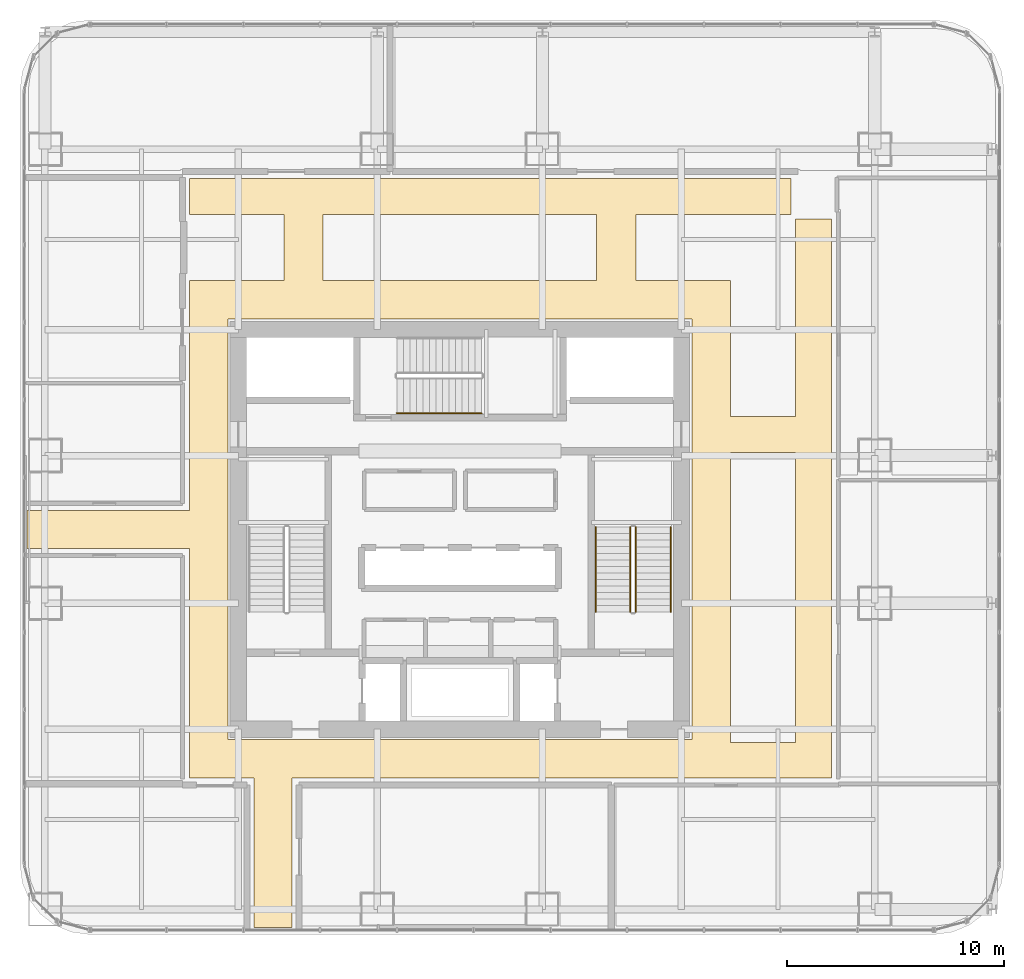
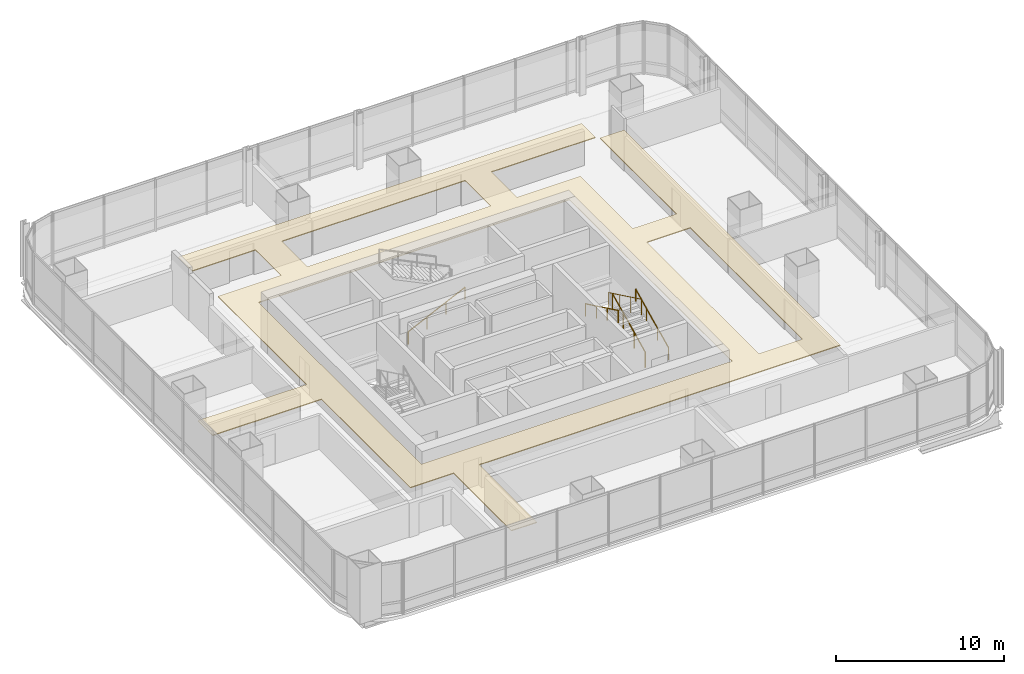
# One storey, part 32 of 34: 5 railings, 1 covering.
"""IFC4 building model written with IfcOpenShell, lengths in metres."""

import ifcopenshell
import ifcopenshell.guid

model = None  # the IFC model being written
_history = None  # IfcOwnerHistory: only IFC2X3 demands one
_inside = {}  # id of a spatial element -> (the spatial element, [elements in it])
_under = {}  # id of a project, library or spatial element -> (it, [spatial elements below it])
_declared = {}  # id of a project -> (the project, [libraries it declares])
_typed = {}  # id of a type object -> (the type object, [elements of that type])
_made_of = {}  # id of a material, layer set ... -> (it, [elements and type objects made of it])


def new_model(schema):
    """Start an empty IFC model of exactly this schema.

    Asked for "IFC4X3", IfcOpenShell would pick the latest addendum, in which some entities
    have other attributes; the version numbers below select the first issue.
    IFC2X3 requires an IfcOwnerHistory on every rooted entity: one is made here for all.
    """
    global model, _history
    if schema == "IFC4X3":
        model = ifcopenshell.file(schema_version=(4, 3, 0, 0))
    else:
        model = ifcopenshell.file(schema=schema)
    _inside.clear()
    _under.clear()
    _declared.clear()
    _typed.clear()
    _made_of.clear()
    _history = None
    if model.schema == "IFC2X3":
        org = make("IfcOrganization", Name="unknown")
        user = make(
            "IfcPersonAndOrganization",
            ThePerson=make("IfcPerson", FamilyName="unknown"),
            TheOrganization=org,
        )
        app = make(
            "IfcApplication",
            ApplicationDeveloper=org,
            Version="unknown",
            ApplicationFullName="unknown",
            ApplicationIdentifier="unknown",
        )
        _history = make(
            "IfcOwnerHistory",
            OwningUser=user,
            OwningApplication=app,
            ChangeAction="ADDED",
            CreationDate=0,
        )
    return model


def make(cls, **values):
    """One entity of the class cls with the attributes given. An attribute that is None is left unset."""
    return model.create_entity(
        cls, **{name: value for name, value in values.items() if value is not None}
    )


def rooted(cls, **values):
    """An entity with a GlobalId (a new one), such as an element, a storey or a relation."""
    return make(cls, GlobalId=ifcopenshell.guid.new(), OwnerHistory=_history, **values)


def si_unit(unit_type, name, prefix=None):
    """IfcSIUnit, for example si_unit("LENGTHUNIT", "METRE", prefix="MILLI")."""
    return make("IfcSIUnit", UnitType=unit_type, Prefix=prefix, Name=name)


def assignment(units):
    """IfcUnitAssignment: the units of a project."""
    return None if units is None else make("IfcUnitAssignment", Units=units)


def point(xyz):
    """IfcCartesianPoint."""
    return None if xyz is None else make("IfcCartesianPoint", Coordinates=xyz)


def direction(xyz):
    """IfcDirection."""
    return None if xyz is None else make("IfcDirection", DirectionRatios=xyz)


def frame(location, z_axis=None, x_axis=None):
    """IfcAxis2Placement3D, a coordinate frame: its origin and axes. An axis left out is left unset."""
    return make(
        "IfcAxis2Placement3D",
        Location=point(location),
        Axis=direction(z_axis),
        RefDirection=direction(x_axis),
    )


def frame_2d(location, x_axis=None):
    """IfcAxis2Placement2D, a coordinate frame in the plane: its origin and x axis."""
    return make(
        "IfcAxis2Placement2D", Location=point(location), RefDirection=direction(x_axis)
    )


def origin():
    """The frame at (0, 0, 0) with its axes left unset."""
    return frame((0.0, 0.0, 0.0))


def origin_2d():
    """The frame at (0, 0) in the plane with its x axis left unset."""
    return frame_2d((0.0, 0.0))


def place(relative_to, where):
    """IfcLocalPlacement: puts the frame where relative to a parent placement (None: the world)."""
    return make(
        "IfcLocalPlacement", PlacementRelTo=relative_to, RelativePlacement=where
    )


def context(
    kind, dimensions, precision=None, world=None, true_north=None, identifier=None
):
    """IfcGeometricRepresentationContext, for example the 3D "Model" context."""
    return make(
        "IfcGeometricRepresentationContext",
        ContextIdentifier=identifier,
        ContextType=kind,
        CoordinateSpaceDimension=dimensions,
        Precision=precision,
        WorldCoordinateSystem=world,
        TrueNorth=true_north,
    )


def subcontext(parent, identifier, kind, view, scale=None):
    """IfcGeometricRepresentationSubContext, for example "Body" below "Model"."""
    return make(
        "IfcGeometricRepresentationSubContext",
        ContextIdentifier=identifier,
        ContextType=kind,
        ParentContext=parent,
        TargetScale=scale,
        TargetView=view,
    )


def project(units=None, contexts=None):
    """IfcProject with its units and contexts."""
    return rooted(
        "IfcProject",
        Name="project",
        RepresentationContexts=contexts,
        UnitsInContext=assignment(units),
    )


def spatial(cls, under=None, at=None, **own):
    """A site, building, storey or space (cls), placed at a placement, below another one or the project."""
    s = rooted(cls, ObjectPlacement=at, **own)
    if under is not None:
        _under.setdefault(under.id(), (under, []))[1].append(s)
    return s


def polyline(points):
    """IfcPolyline through the points."""
    return make("IfcPolyline", Points=[point(p) for p in points])


def profile(cls, at=None, kind="AREA", **sizes):
    """A parametric profile (cls). Its sizes go by their IFC names, for example OverallWidth=200.0."""
    return make(cls, ProfileType=kind, Position=at, **sizes)


def circle(**sizes):
    """IfcCircleProfileDef."""
    return profile("IfcCircleProfileDef", **sizes)


def outline(outer, holes=None, kind="AREA"):
    """IfcArbitraryClosedProfileDef: a profile drawn as a closed curve; with holes, ...WithVoids."""
    if holes is None:
        return make("IfcArbitraryClosedProfileDef", ProfileType=kind, OuterCurve=outer)
    return make(
        "IfcArbitraryProfileDefWithVoids",
        ProfileType=kind,
        OuterCurve=outer,
        InnerCurves=holes,
    )


def extrude(swept, where, along, depth):
    """IfcExtrudedAreaSolid: the profile swept, set in the frame where, extruded along a direction by depth."""
    return make(
        "IfcExtrudedAreaSolid",
        SweptArea=swept,
        Position=where,
        ExtrudedDirection=direction(along),
        Depth=depth,
    )


def shape(context_of_items, identifier, shape_type, items):
    """IfcShapeRepresentation: the items that make up one representation, for example the "Body"."""
    return make(
        "IfcShapeRepresentation",
        ContextOfItems=context_of_items,
        RepresentationIdentifier=identifier,
        RepresentationType=shape_type,
        Items=items,
    )


def material(Name=None, Category=None):
    """IfcMaterial."""
    return make("IfcMaterial", Name=Name, Category=Category)


def layer(
    of_material, thickness, ventilated=None, Name=None, Category=None, Priority=None
):
    """IfcMaterialLayer: one layer of a wall or slab, of a material (None: an air gap)."""
    return make(
        "IfcMaterialLayer",
        Material=of_material,
        LayerThickness=thickness,
        IsVentilated=ventilated,
        Name=Name,
        Category=Category,
        Priority=Priority,
    )


def layer_set(layers, Name=None):
    """IfcMaterialLayerSet."""
    return make("IfcMaterialLayerSet", MaterialLayers=layers, LayerSetName=Name)


def made_of(thing, what):
    """Note that an element or type object is made of a material, layer set ...; save() writes the relation."""
    if what is not None:
        _made_of.setdefault(what.id(), (what, []))[1].append(thing)
    return thing


def type_object(cls, material=None, **own):
    """A type object (cls), such as IfcWallType, which elements share."""
    return made_of(rooted(cls, **own), material)


def element(
    cls,
    number,
    at=None,
    inside=None,
    cuts=None,
    type_object=None,
    material=None,
    context=None,
    identifier="Body",
    shape_type=None,
    held_by="IfcProductDefinitionShape",
    body=None,
    shapes=None,
    **own,
):
    """One element of the class cls, such as IfcWall. Its Tag is "e" and its number.

    at: its placement. inside: the storey or other place that contains it. cuts: it is an
    opening in that element (IfcRelVoidsElement). A single representation is given by context,
    identifier, shape_type and body (its items); several are given by shapes. held_by: the class
    of the entity that holds the representations. save() writes the other relations.
    """
    e = rooted(cls, Tag="e%d" % number, ObjectPlacement=at, **own)
    if body is not None:
        shapes = [shape(context, identifier, shape_type, body)]
    if shapes is not None:
        e.Representation = make(held_by, Representations=shapes)
    if inside is not None:
        _inside.setdefault(inside.id(), (inside, []))[1].append(e)
    if cuts is not None:
        rooted(
            "IfcRelVoidsElement", RelatingBuildingElement=cuts, RelatedOpeningElement=e
        )
    if type_object is not None:
        _typed.setdefault(type_object.id(), (type_object, []))[1].append(e)
    return made_of(e, material)


def aggregate(whole, parts):
    """IfcRelAggregates: a whole, such as a stair, and the parts it consists of."""
    return rooted("IfcRelAggregates", RelatingObject=whole, RelatedObjects=parts)


def save(model, path):
    """Write the relations noted so far, then the file.

    IfcRelAggregates (storeys below a building ...), IfcRelContainedInSpatialStructure (elements
    in a storey), IfcRelDefinesByType, IfcRelAssociatesMaterial and IfcRelDeclares: one each for
    every whole, place, type object, material and project.
    """
    for whole, parts in _under.values():
        aggregate(whole, parts)
    for where, things in _inside.values():
        rooted(
            "IfcRelContainedInSpatialStructure",
            RelatedElements=things,
            RelatingStructure=where,
        )
    for kind, things in _typed.values():
        rooted("IfcRelDefinesByType", RelatedObjects=things, RelatingType=kind)
    for what, things in _made_of.values():
        rooted("IfcRelAssociatesMaterial", RelatedObjects=things, RelatingMaterial=what)
    for by, libraries in _declared.values():
        rooted("IfcRelDeclares", RelatingContext=by, RelatedDefinitions=libraries)
    model.write(path)


model = new_model("IFC4")

# Units and contexts
model_context = context("Model", 3, precision=1e-05, world=origin(), true_north=direction((0.0, 1.0)))
body_context = subcontext(model_context, "Body", "Model", "MODEL_VIEW")
ifc_project = project(units=[si_unit("LENGTHUNIT", "METRE"), si_unit("AREAUNIT", "SQUARE_METRE"), si_unit("VOLUMEUNIT", "CUBIC_METRE"), si_unit("PLANEANGLEUNIT", "RADIAN"), si_unit("MASSUNIT", "GRAM", prefix="KILO")], contexts=[model_context])

# Site, building, storey
site_placement = place(None, origin())
site = spatial("IfcSite", under=ifc_project, at=site_placement, CompositionType="ELEMENT")
building_placement = place(site_placement, origin())
building = spatial("IfcBuilding", under=site, at=building_placement, Name="Punatoya Terracotta Tower", CompositionType="ELEMENT")
storey_placement = place(building_placement, frame((0.0, 0.0, 105.14990234375)))
storey = spatial("IfcBuildingStorey", under=building, at=storey_placement, Name="L24", CompositionType="ELEMENT", Elevation=105.14990234375)

# Covering
ifc_material_1 = material(Name="Acoustic Mineral Fibre Ceiling")
ifc_layer = layer(ifc_material_1, 0.06005859375)
ifc_layer_set = layer_set([ifc_layer], Name="Acoustic Mineral Fibre Ceiling")
covering_type = type_object("IfcCoveringType", Name="COV-CEIL-60", PredefinedType="CEILING", material=ifc_layer_set)
covering_placement = place(storey_placement, frame((0.0, 0.0, 3.2001953125)))
element("IfcCovering", 1, at=covering_placement, inside=storey, type_object=covering_type, Name="L24 Ring Circulation Corridor Acoustic Ceiling", PredefinedType="CEILING", context=body_context, shape_type="SweptSolid", body=[
    extrude(outline(polyline([(-7.719970703125, -18.330078125), (-7.719970703125, -11.449951171875), (17.10009765625, -11.449951171875), (17.10009765625, 14.300048828125), (15.449951171875, 14.300048828125), (15.449951171875, 5.199951171875), (12.449951171875, 5.199951171875), (12.449951171875, 11.449951171875), (8.10009765625, 11.449951171875), (8.10009765625, 14.5), (15.25, 14.5), (15.25, 16.14990234375), (-12.449951171875, 16.14990234375), (-12.449951171875, 14.5), (-8.10009765625, 14.5), (-8.10009765625, 11.449951171875), (-12.449951171875, 11.449951171875), (-12.449951171875, 0.8798828125), (-19.929931640625, 0.8798828125), (-19.929931640625, -0.8798828125), (-12.449951171875, -0.8798828125), (-12.449951171875, -11.449951171875), (-9.47998046875, -11.449951171875), (-9.47998046875, -18.330078125), (-7.719970703125, -18.330078125)]), holes=[polyline([(15.449951171875, -9.800048828125), (12.449951171875, -9.800048828125), (12.449951171875, 3.550048828125), (15.449951171875, 3.550048828125), (15.449951171875, -9.800048828125)]), polyline([(10.679931640625, 9.679931640625), (10.679931640625, -9.679931640625), (-10.679931640625, -9.679931640625), (-10.679931640625, 9.679931640625), (10.679931640625, 9.679931640625)]), polyline([(6.300048828125, 14.5), (6.300048828125, 11.449951171875), (-6.300048828125, 11.449951171875), (-6.300048828125, 14.5), (6.300048828125, 14.5)])]), origin(), (0.0, 0.0, 1.0), 0.059814453125),
])

# Railings
ifc_material_2 = material(Name="Steel S355", Category="steel")
railing_type_1 = type_object("IfcRailingType", Name="RLG-GRD-1150", PredefinedType="GUARDRAIL", material=ifc_material_2)
railing_1_placement = place(storey_placement, frame((8.10009765625, -3.800048828125, 0.144775390625)))
element("IfcRailing", 2, at=railing_1_placement, inside=storey, type_object=railing_type_1, Name="L24 ST-2 stair guard 1", PredefinedType="GUARDRAIL", context=body_context, shape_type="SweptSolid", body=[
    extrude(circle(Radius=0.02392578125, at=origin_2d()), frame((0.0, 0.0, 1.1259765625), z_axis=(0.0, 0.900773802044, 0.434288564841), x_axis=(-1.0, 0.0, 0.0)), (0.0, 0.0, 1.0), 4.329833984375),
    extrude(circle(Radius=0.02099609375, at=origin_2d()), origin(), (0.0, 0.0, 1.0), 1.101806640625),
    extrude(circle(Radius=0.02099609375, at=origin_2d()), frame((0.0, 1.300048828125, 0.626708984375)), (0.0, 0.0, 1.0), 1.101806640625),
    extrude(circle(Radius=0.02099609375, at=origin_2d()), frame((0.0, 2.60009765625, 1.253662109375)), (0.0, 0.0, 1.0), 1.101806640625),
    extrude(circle(Radius=0.02099609375, at=origin_2d()), frame((0.0, 3.900146484375, 1.88037109375)), (0.0, 0.0, 1.0), 1.101806640625),
])
railing_2_placement = place(storey_placement, frame((7.85009765625, 0.10009765625, 2.169677734375)))
element("IfcRailing", 3, at=railing_2_placement, inside=storey, type_object=railing_type_1, Name="L24 ST-2 stair guard 3", PredefinedType="GUARDRAIL", context=body_context, shape_type="SweptSolid", body=[
    extrude(circle(Radius=0.02392578125, at=origin_2d()), frame((0.0, 0.0, 1.1259765625), z_axis=(0.0, -0.900773802044, 0.434288564841), x_axis=(1.0, 0.0, 0.0)), (0.0, 0.0, 1.0), 4.329833984375),
    extrude(circle(Radius=0.02099609375, at=origin_2d()), origin(), (0.0, 0.0, 1.0), 1.101806640625),
    extrude(circle(Radius=0.02099609375, at=origin_2d()), frame((0.0, -1.300048828125, 0.626708984375)), (0.0, 0.0, 1.0), 1.101806640625),
    extrude(circle(Radius=0.02099609375, at=origin_2d()), frame((0.0, -2.60009765625, 1.253662109375)), (0.0, 0.0, 1.0), 1.101806640625),
    extrude(circle(Radius=0.02099609375, at=origin_2d()), frame((0.0, -3.900146484375, 1.88037109375)), (0.0, 0.0, 1.0), 1.101806640625),
])
railing_type_2 = type_object("IfcRailingType", Name="RLG-HND-900", PredefinedType="HANDRAIL", material=ifc_material_2)
railing_3_placement = place(storey_placement, frame((9.699951171875, -3.800048828125, 0.144775390625)))
element("IfcRailing", 4, at=railing_3_placement, inside=storey, type_object=railing_type_2, Name="L24 ST-2 stair handrail 1", PredefinedType="HANDRAIL", context=body_context, shape_type="SweptSolid", body=[
    extrude(circle(Radius=0.02392578125, at=origin_2d()), frame((0.0, 0.0, 0.8759765625), z_axis=(0.0, 0.900773802044, 0.434288564841), x_axis=(-1.0, 0.0, 0.0)), (0.0, 0.0, 1.0), 4.329833984375),
    extrude(circle(Radius=0.02099609375, at=origin_2d()), origin(), (0.0, 0.0, 1.0), 0.851806640625),
    extrude(circle(Radius=0.02099609375, at=origin_2d()), frame((0.0, 1.300048828125, 0.626708984375)), (0.0, 0.0, 1.0), 0.851806640625),
    extrude(circle(Radius=0.02099609375, at=origin_2d()), frame((0.0, 2.60009765625, 1.253662109375)), (0.0, 0.0, 1.0), 0.851806640625),
    extrude(circle(Radius=0.02099609375, at=origin_2d()), frame((0.0, 3.900146484375, 1.88037109375)), (0.0, 0.0, 1.0), 0.851806640625),
])
railing_4_placement = place(storey_placement, frame((6.25, 0.10009765625, 2.169677734375)))
element("IfcRailing", 5, at=railing_4_placement, inside=storey, type_object=railing_type_2, Name="L24 ST-2 stair handrail 2", PredefinedType="HANDRAIL", context=body_context, shape_type="SweptSolid", body=[
    extrude(circle(Radius=0.02392578125, at=origin_2d()), frame((0.0, 0.0, 0.8759765625), z_axis=(0.0, -0.900773802044, 0.434288564841), x_axis=(1.0, 0.0, 0.0)), (0.0, 0.0, 1.0), 4.329833984375),
    extrude(circle(Radius=0.02099609375, at=origin_2d()), origin(), (0.0, 0.0, 1.0), 0.851806640625),
    extrude(circle(Radius=0.02099609375, at=origin_2d()), frame((0.0, -1.300048828125, 0.626708984375)), (0.0, 0.0, 1.0), 0.851806640625),
    extrude(circle(Radius=0.02099609375, at=origin_2d()), frame((0.0, -2.60009765625, 1.253662109375)), (0.0, 0.0, 1.0), 0.851806640625),
    extrude(circle(Radius=0.02099609375, at=origin_2d()), frame((0.0, -3.900146484375, 1.88037109375)), (0.0, 0.0, 1.0), 0.851806640625),
])
railing_5_placement = place(storey_placement, frame((-2.89990234375, 5.35009765625, 0.144775390625)))
element("IfcRailing", 6, at=railing_5_placement, inside=storey, type_object=railing_type_2, Name="L24 ST-3 stair handrail 1", PredefinedType="HANDRAIL", context=body_context, shape_type="SweptSolid", body=[
    extrude(circle(Radius=0.02392578125, at=origin_2d()), frame((0.0, 0.0, 0.8759765625), z_axis=(0.900763166376, 0.0, 0.434310623978), x_axis=(0.0, 1.0, 0.0)), (0.0, 0.0, 1.0), 4.32958984375),
    extrude(circle(Radius=0.02099609375, at=origin_2d()), origin(), (0.0, 0.0, 1.0), 0.851806640625),
    extrude(circle(Radius=0.02099609375, at=origin_2d()), frame((1.300048828125, 0.0, 0.626708984375)), (0.0, 0.0, 1.0), 0.851806640625),
    extrude(circle(Radius=0.02099609375, at=origin_2d()), frame((2.599853515625, 0.0, 1.253662109375)), (0.0, 0.0, 1.0), 0.851806640625),
    extrude(circle(Radius=0.02099609375, at=origin_2d()), frame((3.89990234375, 0.0, 1.88037109375)), (0.0, 0.0, 1.0), 0.851806640625),
])

save(model, "model.ifc")
